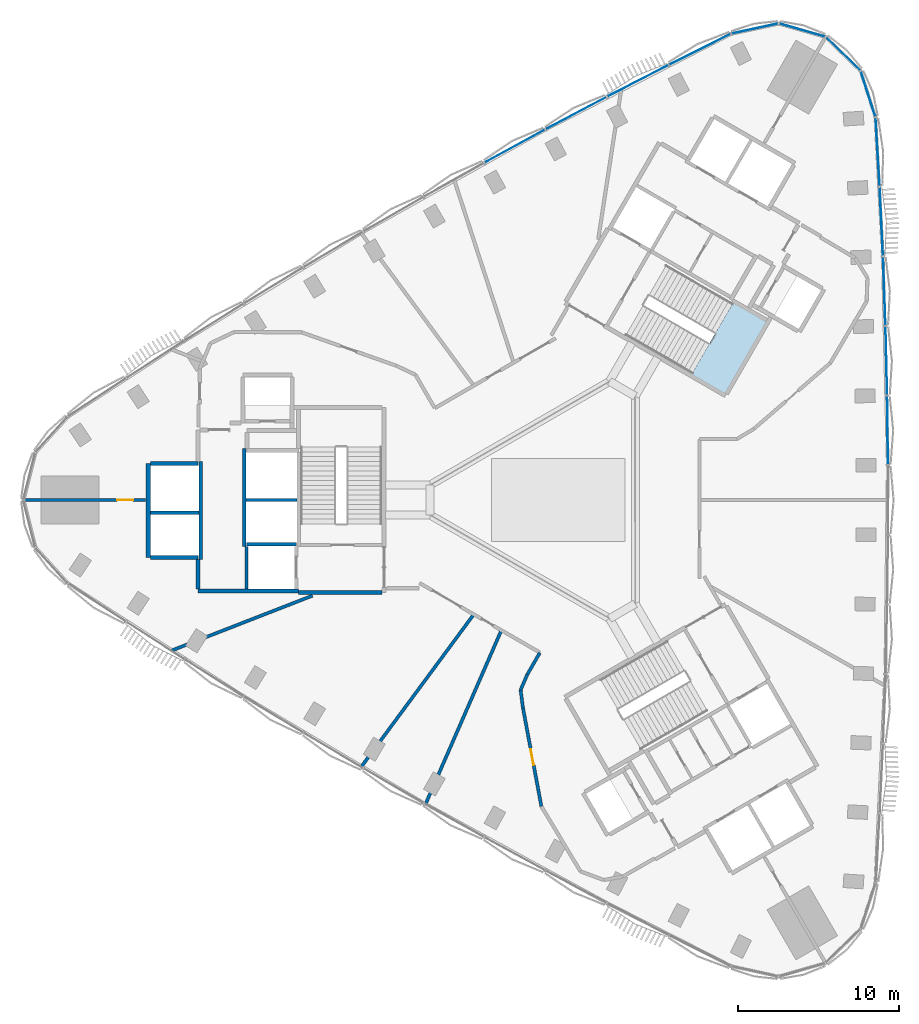
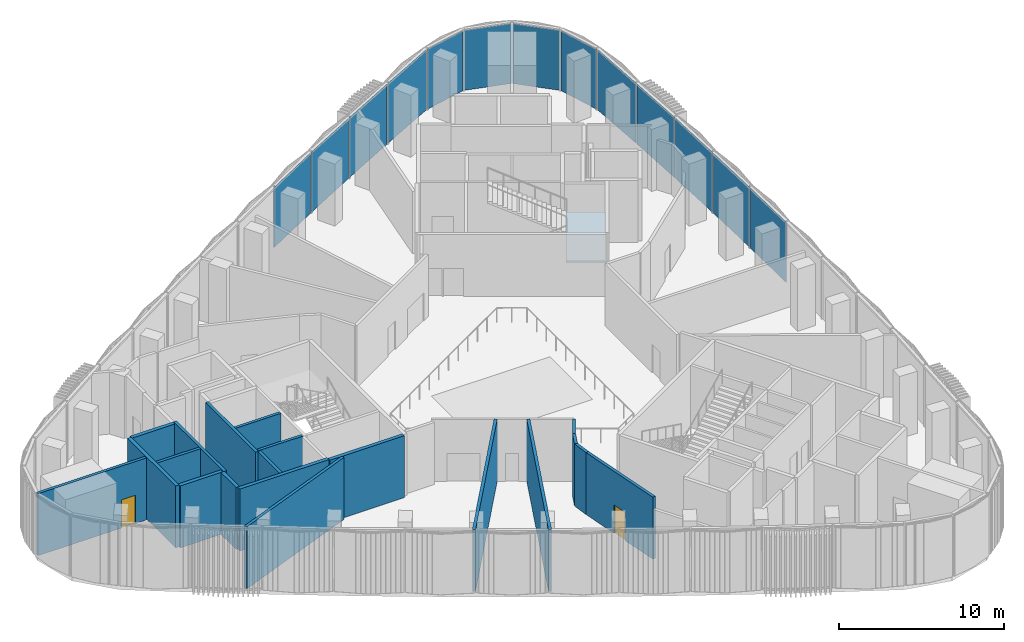
# One storey, part 7 of 17: 20 walls, 13 plates, 2 doors, 1 slab, 2 openings, 3 elements without a shape of their own.
"""IFC4 building model written with IfcOpenShell, lengths in metres."""

from ifc_helpers import new_model, si_unit, direction, frame, frame_2d, origin, origin_2d, place, context, subcontext, project, spatial, polyline, rectangle, outline, extrude, material, layer, layer_set, type_object, element, fill, aggregate, save


model = new_model("IFC4")

# Units and contexts
model_context = context("Model", 3, precision=1e-05, world=origin(), true_north=direction((0.0, 1.0)))
body_context = subcontext(model_context, "Body", "Model", "MODEL_VIEW")
ifc_project = project(units=[si_unit("LENGTHUNIT", "METRE"), si_unit("AREAUNIT", "SQUARE_METRE"), si_unit("VOLUMEUNIT", "CUBIC_METRE"), si_unit("PLANEANGLEUNIT", "RADIAN"), si_unit("MASSUNIT", "GRAM", prefix="KILO")], contexts=[model_context])

# Site, building, storey
site_placement = place(None, origin())
site = spatial("IfcSite", under=ifc_project, at=site_placement, CompositionType="ELEMENT")
building_placement = place(site_placement, origin())
building = spatial("IfcBuilding", under=site, at=building_placement, Name="Tamra Quay Hotel Tower", CompositionType="ELEMENT")
storey_placement = place(building_placement, frame((0.0, 0.0, 123.800048828125)))
storey = spatial("IfcBuildingStorey", under=building, at=storey_placement, Name="L30", CompositionType="ELEMENT", Elevation=123.800048828125)

# Stair, slab
ifc_material_1 = material(Name="Exit stair 2200 34 risers 147.1 going 299")
stair_type = type_object("IfcStairType", Name="Exit stair 2200 34 risers 147.1 going 299", PredefinedType="HALF_TURN_STAIR", material=ifc_material_1)
stair_placement = place(storey_placement, origin())
stair = element("IfcStair", 1, at=stair_placement, inside=storey, type_object=stair_type, Name="L30 Exit stair ST1", PredefinedType="HALF_TURN_STAIR")
ifc_material_2 = material(Name="Concrete M70", Category="concrete")
ifc_layer_1 = layer(ifc_material_2, 0.175048828125)
ifc_layer_set_1 = layer_set([ifc_layer_1], Name="Concrete M70 stair landing 180")
slab_type = type_object("IfcSlabType", Name="Concrete M70 stair landing 180", PredefinedType="LANDING", material=ifc_layer_set_1)
slab_placement = place(storey_placement, frame((0.0, 0.0, 2.324951171875)))
slab = element("IfcSlab", 2, at=slab_placement, type_object=slab_type, Name="ST1 landing 1", PredefinedType="LANDING", context=body_context, shape_type="SweptSolid", body=[
    extrude(outline(polyline([(8.31005859375, 7.82568359375), (10.385009765625, 6.627685546875), (12.964599609375, 11.095458984375), (10.8896484375, 12.29345703125), (8.31005859375, 7.82568359375)])), origin(), (0.0, 0.0, 1.0), 0.175048828125),
])
aggregate(stair, [slab])

# Curtain wall, plates
ifc_material_3 = material(Name="Aluminium 6063 anodised dark grey", Category="aluminium")
curtain_wall_type_1 = type_object("IfcCurtainWallType", Name="CW1 CURTAIN WALL", PredefinedType="NOTDEFINED", material=ifc_material_3)
curtain_wall_1_placement = place(storey_placement, origin())
curtain_wall_1 = element("IfcCurtainWall", 3, at=curtain_wall_1_placement, inside=storey, type_object=curtain_wall_type_1, Name="CW1 east face L30", PredefinedType="NOTDEFINED")
ifc_material_4 = material(Name="Glass clear laminated low-iron", Category="glass")
ifc_layer_2 = layer(ifc_material_4, 0.031982421875)
ifc_layer_set_2 = layer_set([ifc_layer_2], Name="GLASS PANEL CW1 Z3")
plate_type_1 = type_object("IfcPlateType", Name="GLASS PANEL CW1 Z3", PredefinedType="CURTAIN_PANEL", material=ifc_layer_set_2)
plate_1_placement = place(storey_placement, frame((20.519775390625, 4.3388671875, 0.0), z_axis=(0.0, 0.0, 1.0), x_axis=(-0.011957083314, 0.999928511524, 0.0)))
plate_1 = element("IfcPlate", 4, at=plate_1_placement, type_object=plate_type_1, Name="CW1 glass L30.E.7", PredefinedType="CURTAIN_PANEL", context=body_context, shape_type="SweptSolid", body=[
    extrude(rectangle(XDim=4.238525390625, YDim=0.031982421875, at=origin_2d()), origin(), (0.0, 0.0, 1.0), 4.4599609375),
])
plate_2_placement = place(storey_placement, frame((20.442138671875, 8.677001953125, 0.0), z_axis=(0.0, 0.0, 1.0), x_axis=(-0.02389629492, 0.999714442773, 0.0)))
plate_2 = element("IfcPlate", 5, at=plate_2_placement, type_object=plate_type_1, Name="CW1 glass L30.E.8", PredefinedType="CURTAIN_PANEL", context=body_context, shape_type="SweptSolid", body=[
    extrude(rectangle(XDim=4.2392578125, YDim=0.031982421875, at=origin_2d()), origin(), (0.0, 0.0, 1.0), 4.4599609375),
])
plate_3_placement = place(storey_placement, frame((20.3125, 13.01416015625, 0.0), z_axis=(0.0, 0.0, 1.0), x_axis=(-0.035844773182, 0.999357369631, 0.0)))
plate_3 = element("IfcPlate", 6, at=plate_3_placement, type_object=plate_type_1, Name="CW1 glass L30.E.9", PredefinedType="CURTAIN_PANEL", context=body_context, shape_type="SweptSolid", body=[
    extrude(rectangle(XDim=4.2392578125, YDim=0.031982421875, at=origin_2d()), origin(), (0.0, 0.0, 1.0), 4.4599609375),
])
plate_4_placement = place(storey_placement, frame((20.131103515625, 17.34912109375, 0.0), z_axis=(0.0, 0.0, 1.0), x_axis=(-0.047746993886, 0.998859461874, 0.0)))
plate_4 = element("IfcPlate", 7, at=plate_4_placement, type_object=plate_type_1, Name="CW1 glass L30.E.10", PredefinedType="CURTAIN_PANEL", context=body_context, shape_type="SweptSolid", body=[
    extrude(rectangle(XDim=4.238525390625, YDim=0.031982421875, at=origin_2d()), origin(), (0.0, 0.0, 1.0), 4.4599609375),
])
plate_5_placement = place(storey_placement, frame((19.898193359375, 21.681640625, 0.0), z_axis=(0.0, 0.0, 1.0), x_axis=(-0.059642012577, 0.998219830666, 0.0)))
plate_5 = element("IfcPlate", 8, at=plate_5_placement, type_object=plate_type_1, Name="CW1 glass L30.E.11", PredefinedType="CURTAIN_PANEL", context=body_context, shape_type="SweptSolid", body=[
    extrude(rectangle(XDim=4.239013671875, YDim=0.031982421875, at=origin_2d()), origin(), (0.0, 0.0, 1.0), 4.4599609375),
])
plate_6_placement = place(storey_placement, frame((19.30419921875, 25.29296875, 0.0), z_axis=(0.0, 0.0, 1.0), x_axis=(-0.305914777883, 0.952058899792, 0.0)))
plate_6 = element("IfcPlate", 9, at=plate_6_placement, type_object=plate_type_1, Name="CW1 glass L30.E.12", PredefinedType="CURTAIN_PANEL", context=body_context, shape_type="SweptSolid", body=[
    extrude(rectangle(XDim=2.937255859375, YDim=0.031982421875, at=origin_2d()), origin(), (0.0, 0.0, 1.0), 4.4599609375),
])
plate_7_placement = place(storey_placement, frame((17.748291015625, 27.794921875, 0.0), z_axis=(0.0, 0.0, 1.0), x_axis=(-0.718584480635, 0.695439676888, 0.0)))
plate_7 = element("IfcPlate", 10, at=plate_7_placement, type_object=plate_type_1, Name="CW1 glass L30.E.13", PredefinedType="CURTAIN_PANEL", context=body_context, shape_type="SweptSolid", body=[
    extrude(rectangle(XDim=2.937255859375, YDim=0.031982421875, at=origin_2d()), origin(), (0.0, 0.0, 1.0), 4.4599609375),
])
plate_8_placement = place(storey_placement, frame((15.19677734375, 29.26806640625, 0.0), z_axis=(0.0, 0.0, 1.0), x_axis=(-0.961560667302, 0.274592576551, 0.0)))
plate_8 = element("IfcPlate", 11, at=plate_8_placement, type_object=plate_type_1, Name="CW1 glass L30.E.14", PredefinedType="CURTAIN_PANEL", context=body_context, shape_type="SweptSolid", body=[
    extrude(rectangle(XDim=2.937255859375, YDim=0.031982421875, at=origin_2d()), origin(), (0.0, 0.0, 1.0), 4.4599609375),
])
plate_9_placement = place(storey_placement, frame((12.252197265625, 29.3642578125, 0.0), z_axis=(0.0, 0.0, 1.0), x_axis=(-0.97746458206, -0.211099480856, 0.0)))
plate_9 = element("IfcPlate", 12, at=plate_9_placement, type_object=plate_type_1, Name="CW1 glass L30.E.15", PredefinedType="CURTAIN_PANEL", context=body_context, shape_type="SweptSolid", body=[
    extrude(rectangle(XDim=2.937255859375, YDim=0.031982421875, at=origin_2d()), origin(), (0.0, 0.0, 1.0), 4.4599609375),
])
aggregate(curtain_wall_1, [plate_1, plate_2, plate_3, plate_4, plate_5, plate_6, plate_7, plate_8, plate_9])

curtain_wall_type_2 = type_object("IfcCurtainWallType", Name="CW2 CURTAIN WALL", PredefinedType="NOTDEFINED", material=ifc_material_3)
curtain_wall_2_placement = place(storey_placement, origin())
curtain_wall_2 = element("IfcCurtainWall", 13, at=curtain_wall_2_placement, inside=storey, type_object=curtain_wall_type_2, Name="CW2 north-west face L30", PredefinedType="NOTDEFINED")
ifc_layer_3 = layer(ifc_material_4, 0.031982421875)
ifc_layer_set_3 = layer_set([ifc_layer_3], Name="GLASS PANEL CW2 Z3")
plate_type_2 = type_object("IfcPlateType", Name="GLASS PANEL CW2 Z3", PredefinedType="CURTAIN_PANEL", material=ifc_layer_set_3)
plate_10_placement = place(storey_placement, frame((8.82763671875, 28.072998046875, 0.0), z_axis=(0.0, 0.0, 1.0), x_axis=(-0.894304738207, -0.447458417309, 0.0)))
plate_10 = element("IfcPlate", 14, at=plate_10_placement, type_object=plate_type_2, Name="CW2 glass L30.NW.1", PredefinedType="CURTAIN_PANEL", context=body_context, shape_type="SweptSolid", body=[
    extrude(rectangle(XDim=4.239013671875, YDim=0.031982421875, at=origin_2d()), origin(), (0.0, 0.0, 1.0), 4.4599609375),
])
plate_11_placement = place(storey_placement, frame((4.959228515625, 26.108642578125, 0.0), z_axis=(0.0, 0.0, 1.0), x_axis=(-0.888911165736, -0.458079621277, 0.0)))
plate_11 = element("IfcPlate", 15, at=plate_11_placement, type_object=plate_type_2, Name="CW2 glass L30.NW.2", PredefinedType="CURTAIN_PANEL", context=body_context, shape_type="SweptSolid", body=[
    extrude(rectangle(XDim=4.238525390625, YDim=0.031982421875, at=origin_2d()), origin(), (0.0, 0.0, 1.0), 4.4599609375),
])
plate_12_placement = place(storey_placement, frame((1.1142578125, 24.09814453125, 0.0), z_axis=(0.0, 0.0, 1.0), x_axis=(-0.883391256151, -0.468636200647, 0.0)))
plate_12 = element("IfcPlate", 16, at=plate_12_placement, type_object=plate_type_2, Name="CW2 glass L30.NW.3", PredefinedType="CURTAIN_PANEL", context=body_context, shape_type="SweptSolid", body=[
    extrude(rectangle(XDim=4.2392578125, YDim=0.031982421875, at=origin_2d()), origin(), (0.0, 0.0, 1.0), 4.4599609375),
])
plate_13_placement = place(storey_placement, frame((-2.70654296875, 22.041748046875, 0.0), z_axis=(0.0, 0.0, 1.0), x_axis=(-0.877726251432, -0.47916242293, 0.0)))
plate_13 = element("IfcPlate", 17, at=plate_13_placement, type_object=plate_type_2, Name="CW2 glass L30.NW.4", PredefinedType="CURTAIN_PANEL", context=body_context, shape_type="SweptSolid", body=[
    extrude(rectangle(XDim=4.2392578125, YDim=0.031982421875, at=origin_2d()), origin(), (0.0, 0.0, 1.0), 4.4599609375),
])
aggregate(curtain_wall_2, [plate_10, plate_11, plate_12, plate_13])

# Walls
ifc_layer_4 = layer(ifc_material_2, 0.199951171875)
ifc_layer_set_4 = layer_set([ifc_layer_4], Name="Concrete M70 core wall 200")
wall_type_1 = type_object("IfcWallType", Name="Concrete M70 core wall 200", PredefinedType="SHEAR", material=ifc_layer_set_4)
for number, where, z_axis, x_axis, name in (
    (18, (-19.5625, -2.900146484375, 0.0), (0.0, 0.0, 1.0), (0.0, 1.0, 0.0), "CW2"),
    (19, (-22.26220703125, 2.400146484375, 0.0), (0.0, 0.0, 1.0), (0.0, -1.0, 0.0), "CW2"),
):
    element("IfcWall", number, at=place(storey_placement, frame(where, z_axis=z_axis, x_axis=x_axis)), inside=storey, type_object=wall_type_1, Name=name, PredefinedType="SHEAR", context=body_context, shape_type="SweptSolid", body=[
        extrude(rectangle(XDim=6.100341796875, YDim=0.199951171875, at=frame_2d((3.05029296875, 0.0))), origin(), (0.0, 0.0, 1.0), 4.599853515625),
    ])
wall_1_placement = place(storey_placement, frame((-16.26318359375, 0.0, 0.0), z_axis=(0.0, 0.0, 1.0), x_axis=(-1.0, 0.0, 0.0)))
element("IfcWall", 20, at=wall_1_placement, inside=storey, type_object=wall_type_1, Name="CW2", PredefinedType="SHEAR", context=body_context, shape_type="SweptSolid", body=[
    extrude(rectangle(XDim=3.1982421875, YDim=0.199951171875, at=frame_2d((1.59912109375, 0.0))), origin(), (0.0, 0.0, 1.0), 4.599853515625),
])
wall_2_placement = place(storey_placement, frame((-22.36328125, -0.800048828125, 0.0), z_axis=(0.0, 0.0, 1.0), x_axis=(-1.0, 0.0, 0.0)))
element("IfcWall", 21, at=wall_2_placement, inside=storey, type_object=wall_type_1, Name="CW2", PredefinedType="SHEAR", context=body_context, shape_type="SweptSolid", body=[
    extrude(rectangle(XDim=3.048095703125, YDim=0.199951171875, at=frame_2d((1.52392578125, 0.0))), origin(), (0.0, 0.0, 1.0), 4.599853515625),
])
wall_3_placement = place(storey_placement, frame((-19.412353515625, -2.75, 0.0), z_axis=(0.0, 0.0, 1.0), x_axis=(1.0, 0.0, 0.0)))
element("IfcWall", 22, at=wall_3_placement, inside=storey, type_object=wall_type_1, Name="CW2", PredefinedType="SHEAR", context=body_context, shape_type="SweptSolid", body=[
    extrude(rectangle(XDim=3.10009765625, YDim=0.199951171875, at=frame_2d((1.550048828125, 0.0))), origin(), (0.0, 0.0, 1.0), 4.599853515625),
])
wall_4_placement = place(storey_placement, frame((-19.412353515625, -5.549072265625, 0.0), z_axis=(0.0, 0.0, 1.0), x_axis=(0.0, 1.0, 0.0)))
element("IfcWall", 23, at=wall_4_placement, inside=storey, type_object=wall_type_1, Name="CW2", PredefinedType="SHEAR", context=body_context, shape_type="SweptSolid", body=[
    extrude(rectangle(XDim=2.65087890625, YDim=0.199951171875, at=frame_2d((1.325439453125, 0.0))), origin(), (0.0, 0.0, 1.0), 4.599853515625),
])
ifc_layer_5 = layer(ifc_material_2, 0.25)
ifc_layer_set_5 = layer_set([ifc_layer_5], Name="Concrete M70 core wall 250")
wall_type_2 = type_object("IfcWallType", Name="Concrete M70 core wall 250", PredefinedType="SHEAR", material=ifc_layer_set_5)
wall_5_placement = place(storey_placement, frame((-16.187255859375, -5.675048828125, 0.0), z_axis=(0.0, 0.0, 1.0), x_axis=(-1.0, 0.0, 0.0)))
element("IfcWall", 24, at=wall_5_placement, inside=storey, type_object=wall_type_2, Name="CW1", PredefinedType="SHEAR", context=body_context, shape_type="SweptSolid", body=[
    extrude(rectangle(XDim=6.25, YDim=0.25, at=frame_2d((3.125, 0.0))), origin(), (0.0, 0.0, 1.0), 4.599853515625),
])
wall_6_placement = place(storey_placement, frame((-25.537353515625, -3.574951171875, 0.0), z_axis=(0.0, 0.0, 1.0), x_axis=(0.0, 1.0, 0.0)))
element("IfcWall", 25, at=wall_6_placement, inside=storey, type_object=wall_type_2, Name="CW1", PredefinedType="SHEAR", context=body_context, shape_type="SweptSolid", body=[
    extrude(rectangle(XDim=5.849853515625, YDim=0.25, at=frame_2d((2.9248046875, 0.0))), origin(), (0.0, 0.0, 1.0), 4.599853515625),
])
wall_7_placement = place(storey_placement, frame((-10.962646484375, -5.77490234375, 0.0), z_axis=(0.0, 0.0, 1.0), x_axis=(-1.0, 0.0, 0.0)))
element("IfcWall", 26, at=wall_7_placement, inside=storey, type_object=wall_type_2, Name="CW1", PredefinedType="SHEAR", context=body_context, shape_type="SweptSolid", body=[
    extrude(rectangle(XDim=5.224609375, YDim=0.25, at=frame_2d((2.6123046875, 0.0))), origin(), (0.0, 0.0, 1.0), 4.599853515625),
])
for number, where, z_axis, x_axis, name in (
    (27, (-22.437255859375, -3.574951171875, 0.0), (0.0, 0.0, 1.0), (-1.0, 0.0, 0.0), "CW1"),
    (28, (-25.411865234375, 2.27490234375, 0.0), (0.0, 0.0, 1.0), (1.0, 0.0, 0.0), "CW1"),
):
    element("IfcWall", number, at=place(storey_placement, frame(where, z_axis=z_axis, x_axis=x_axis)), inside=storey, type_object=wall_type_2, Name=name, PredefinedType="SHEAR", context=body_context, shape_type="SweptSolid", body=[
        extrude(rectangle(XDim=2.974609375, YDim=0.25, at=frame_2d((1.4873046875, 0.0))), origin(), (0.0, 0.0, 1.0), 4.599853515625),
    ])
wall_8_placement = place(storey_placement, frame((-22.437255859375, -5.549560546875, 0.0), z_axis=(0.0, 0.0, 1.0), x_axis=(0.0, 1.0, 0.0)))
element("IfcWall", 29, at=wall_8_placement, inside=storey, type_object=wall_type_2, Name="CW1", PredefinedType="SHEAR", context=body_context, shape_type="SweptSolid", body=[
    extrude(rectangle(XDim=1.84912109375, YDim=0.25, at=frame_2d((0.924560546875, 0.0))), origin(), (0.0, 0.0, 1.0), 4.599853515625),
])
ifc_material_5 = material(Name="Partition corridor wall")
ifc_layer_6 = layer(ifc_material_5, 0.199951171875)
ifc_layer_set_6 = layer_set([ifc_layer_6], Name="Partition corridor wall")
wall_type_3 = type_object("IfcWallType", Name="Partition corridor wall", PredefinedType="PARTITIONING", material=ifc_layer_set_6)
wall_9_placement = place(storey_placement, frame((-2.342041015625, -11.8349609375, 0.0), z_axis=(0.0, 0.0, 1.0), x_axis=(0.130834272089, -0.991404253192, 0.0)))
element("IfcWall", 30, at=wall_9_placement, inside=storey, type_object=wall_type_3, Name="W-C", PredefinedType="PARTITIONING", context=body_context, shape_type="SweptSolid", body=[
    extrude(rectangle(XDim=1.130859375, YDim=0.199951171875, at=frame_2d((0.5654296875, 0.0))), origin(), (0.0, 0.0, 1.0), 4.599853515625),
])
wall_10_placement = place(storey_placement, frame((-2.341064453125, -11.827880859375, 0.0), z_axis=(0.0, 0.0, 1.0), x_axis=(0.399428841439, 0.916764201214, 0.0)))
element("IfcWall", 31, at=wall_10_placement, inside=storey, type_object=wall_type_3, Name="W-C", PredefinedType="PARTITIONING", context=body_context, shape_type="SweptSolid", body=[
    extrude(rectangle(XDim=1.04150390625, YDim=0.199951171875, at=frame_2d((0.520751953125, 0.0))), origin(), (0.0, 0.0, 1.0), 4.599853515625),
])

# Wall, opening, door
wall_11_placement = place(storey_placement, frame((-2.194091796875, -12.9560546875, 0.0), z_axis=(0.0, 0.0, 1.0), x_axis=(0.183786917758, -0.982966107687, 0.0)))
wall_11 = element("IfcWall", 32, at=wall_11_placement, inside=storey, type_object=wall_type_3, Name="W-C", PredefinedType="PARTITIONING", context=body_context, shape_type="SweptSolid", body=[
    extrude(rectangle(XDim=6.230224609375, YDim=0.199951171875, at=frame_2d((3.115234375, 0.0))), origin(), (0.0, 0.0, 1.0), 4.599853515625),
])
opening_1_placement = place(wall_11_placement, frame((2.614990234375, 0.0, 0.0)))
opening_1 = element("IfcOpeningElement", 33, at=opening_1_placement, cuts=wall_11, Name="Opening L30-D010", PredefinedType="OPENING", context=body_context, shape_type="SweptSolid", body=[
    extrude(rectangle(XDim=1.0, YDim=2.10009765625, at=frame_2d((0.5, 1.050048828125))), frame((0.0, 0.10986328125, 0.0), z_axis=(0.0, -1.0, 0.0), x_axis=(1.0, 0.0, 0.0)), (0.0, 0.0, 1.0), 0.219970703125),
])
ifc_material_6 = material(Name="Door guest room 1000x2100")
door_type = type_object("IfcDoorType", Name="Door guest room 1000x2100", OperationType="NOTDEFINED", PredefinedType="DOOR", material=ifc_material_6)
door_1_placement = place(opening_1_placement, frame((1.0, 0.0, 0.0), z_axis=(0.0, 0.0, 1.0), x_axis=(-1.0, 0.0, 0.0)))
door_1 = element("IfcDoor", 34, at=door_1_placement, inside=storey, type_object=door_type, Name="L30-D010", OperationType="SINGLE_SWING_LEFT", OverallHeight=2.10009765625, OverallWidth=1.0, PredefinedType="DOOR", context=body_context, shape_type="SweptSolid", body=[
    extrude(rectangle(XDim=1.0, YDim=2.10009765625, at=frame_2d((0.5, 1.050048828125))), frame((0.0, 0.02490234375, 0.0), z_axis=(0.0, -1.0, 0.0), x_axis=(1.0, 0.0, 0.0)), (0.0, 0.0, 1.0), 0.050048828125),
])
fill(opening_1, door_1)

# Wall
wall_12_placement = place(storey_placement, frame((-1.924072265625, -10.868896484375, 0.0), z_axis=(0.0, 0.0, 1.0), x_axis=(0.499591428637, 0.866261164102, 0.0)))
element("IfcWall", 35, at=wall_12_placement, inside=storey, type_object=wall_type_3, Name="W-C", PredefinedType="PARTITIONING", context=body_context, shape_type="SweptSolid", body=[
    extrude(rectangle(XDim=1.559326171875, YDim=0.199951171875, at=frame_2d((0.77978515625, 0.0))), origin(), (0.0, 0.0, 1.0), 4.599853515625),
])

# Wall, opening, door
ifc_material_7 = material(Name="Partition party wall")
ifc_layer_7 = layer(ifc_material_7, 0.199951171875)
ifc_layer_set_7 = layer_set([ifc_layer_7], Name="Partition party wall")
wall_type_4 = type_object("IfcWallType", Name="Partition party wall", PredefinedType="PARTITIONING", material=ifc_layer_set_7)
wall_13_placement = place(storey_placement, frame((-33.309326171875, 0.0, 0.0), z_axis=(0.0, 0.0, 1.0), x_axis=(1.0, 0.0, 0.0)))
wall_13 = element("IfcWall", 36, at=wall_13_placement, inside=storey, type_object=wall_type_4, Name="W-P", PredefinedType="PARTITIONING", context=body_context, shape_type="SweptSolid", body=[
    extrude(rectangle(XDim=7.587158203125, YDim=0.199951171875, at=frame_2d((3.79345703125, 0.0))), origin(), (0.0, 0.0, 1.0), 4.599853515625),
])
opening_2_placement = place(wall_13_placement, frame((5.832275390625, 0.0, 0.0)))
opening_2 = element("IfcOpeningElement", 37, at=opening_2_placement, cuts=wall_13, Name="Opening L30-D007", PredefinedType="OPENING", context=body_context, shape_type="SweptSolid", body=[
    extrude(rectangle(XDim=1.0, YDim=2.10009765625, at=frame_2d((0.5, 1.050048828125))), frame((0.0, 0.10986328125, 0.0), z_axis=(0.0, -1.0, 0.0), x_axis=(1.0, 0.0, 0.0)), (0.0, 0.0, 1.0), 0.219970703125),
])
door_2_placement = place(opening_2_placement, frame((1.0, 0.0, 0.0), z_axis=(0.0, 0.0, 1.0), x_axis=(-1.0, 0.0, 0.0)))
door_2 = element("IfcDoor", 38, at=door_2_placement, inside=storey, type_object=door_type, Name="L30-D007", OperationType="SINGLE_SWING_LEFT", OverallHeight=2.10009765625, OverallWidth=1.0, PredefinedType="DOOR", context=body_context, shape_type="SweptSolid", body=[
    extrude(rectangle(XDim=1.0, YDim=2.10009765625, at=frame_2d((0.5, 1.050048828125))), frame((0.0, 0.02490234375, 0.0), z_axis=(0.0, -1.0, 0.0), x_axis=(1.0, 0.0, 0.0)), (0.0, 0.0, 1.0), 0.050048828125),
])
fill(opening_2, door_2)

# Walls
wall_14_placement = place(storey_placement, frame((-24.10693359375, -9.38671875, 0.0), z_axis=(0.0, 0.0, 1.0), x_axis=(0.9318396159, 0.362870404194, 0.0)))
element("IfcWall", 39, at=wall_14_placement, inside=storey, type_object=wall_type_4, Name="W-P", PredefinedType="PARTITIONING", context=body_context, shape_type="SweptSolid", body=[
    extrude(rectangle(XDim=9.443359375, YDim=0.199951171875, at=frame_2d((4.7216796875, 0.0))), origin(), (0.0, 0.0, 1.0), 4.599853515625),
])
for number, where, z_axis, x_axis, name in (
    (40, (-12.274658203125, -16.629638671875, 0.0), (0.0, 0.0, 1.0), (0.593894030727, 0.804543274328, 0.0), "W-P"),
    (41, (-8.264404296875, -18.945068359375, 0.0), (0.0, 0.0, 1.0), (0.399821011765, 0.916593235057, 0.0), "W-P"),
):
    element("IfcWall", number, at=place(storey_placement, frame(where, z_axis=z_axis, x_axis=x_axis)), inside=storey, type_object=wall_type_4, Name=name, PredefinedType="PARTITIONING", context=body_context, shape_type="SweptSolid", body=[
        extrude(rectangle(XDim=11.811279296875, YDim=0.199951171875, at=frame_2d((5.90576171875, 0.0))), origin(), (0.0, 0.0, 1.0), 4.599853515625),
    ])

save(model, "model.ifc")
